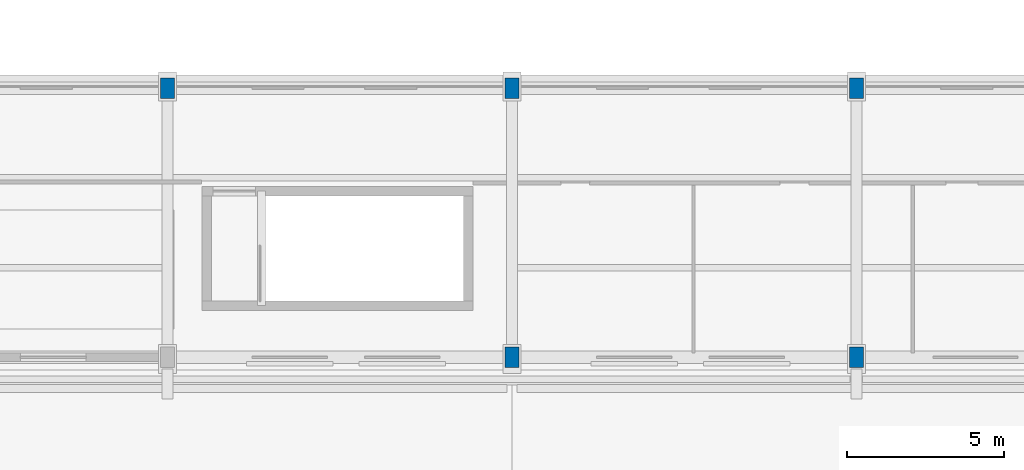
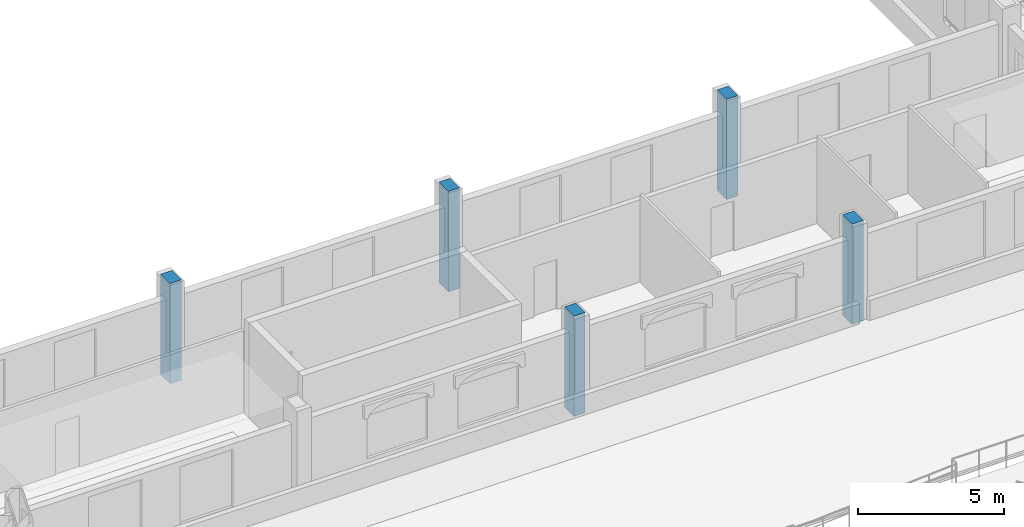
# One storey, part 4 of 43: 5 columns.
"""IFC4 building model written with IfcOpenShell, lengths in metres."""

from ifc_helpers import new_model, si_unit, direction, frame, origin, origin_2d, place, context, subcontext, project, spatial, rectangle, extrude, material, material_profile, profile_set, type_object, element, save


model = new_model("IFC4")

# Units and contexts
model_context = context("Model", 3, precision=1e-05, world=origin(), true_north=direction((0.0, 1.0)))
body_context = subcontext(model_context, "Body", "Model", "MODEL_VIEW")
ifc_project = project(units=[si_unit("LENGTHUNIT", "METRE"), si_unit("AREAUNIT", "SQUARE_METRE"), si_unit("VOLUMEUNIT", "CUBIC_METRE"), si_unit("PLANEANGLEUNIT", "RADIAN"), si_unit("MASSUNIT", "GRAM", prefix="KILO")], contexts=[model_context])

# Site, building, storey
site_placement = place(None, origin())
site = spatial("IfcSite", under=ifc_project, at=site_placement, CompositionType="ELEMENT")
building_placement = place(site_placement, origin())
building = spatial("IfcBuilding", under=site, at=building_placement, Name="Caurita Quay Ferry Terminal", CompositionType="ELEMENT")
storey_placement = place(building_placement, frame((0.0, 0.0, 14.10009765625)))
storey = spatial("IfcBuildingStorey", under=building, at=storey_placement, Name="L03", CompositionType="ELEMENT", Elevation=14.10009765625)

# Columns
ifc_material = material(Name="Reinforced concrete C35/45", Category="concrete")
ifc_material_profile = material_profile(ifc_material, rectangle(XDim=0.449951171875, YDim=0.64990234375, at=origin_2d()), Name="RC-COL-650X450")
ifc_profile_set = profile_set([ifc_material_profile], Name="Reinforced concrete C35/45")
column_type = type_object("IfcColumnType", Name="COL-RC-6545", PredefinedType="COLUMN", material=ifc_profile_set)
for number, where, z_axis, x_axis, name in (
    (1, (33.0, 80.199951171875, 0.0), (0.0, 0.0, 1.0), (1.0, 0.0, 0.0), "L03 Column V5-04-M"),
    (2, (44.0, 71.60009765625, 0.0), (0.0, 0.0, 1.0), (1.0, 0.0, 0.0), "L03 Column V5-05-L"),
    (3, (44.0, 80.199951171875, 0.0), (0.0, 0.0, 1.0), (1.0, 0.0, 0.0), "L03 Column V5-05-M"),
    (4, (55.0, 71.60009765625, 0.0), (0.0, 0.0, 1.0), (1.0, 0.0, 0.0), "L03 Column V5-06-L"),
    (5, (55.0, 80.199951171875, 0.0), (0.0, 0.0, 1.0), (1.0, 0.0, 0.0), "L03 Column V5-06-M"),
):
    element("IfcColumn", number, at=place(storey_placement, frame(where, z_axis=z_axis, x_axis=x_axis)), inside=storey, type_object=column_type, Name=name, PredefinedType="COLUMN", context=body_context, shape_type="SweptSolid", body=[
        extrude(rectangle(XDim=0.449951171875, YDim=0.64990234375, at=origin_2d()), origin(), (0.0, 0.0, 1.0), 4.199951171875),
    ])

save(model, "model.ifc")
